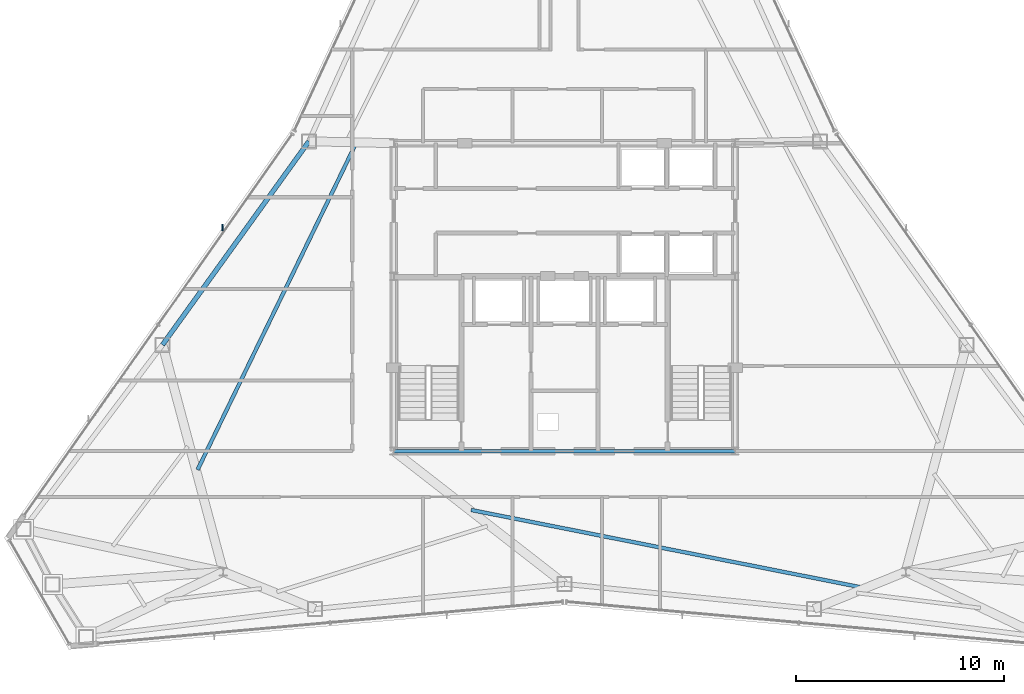
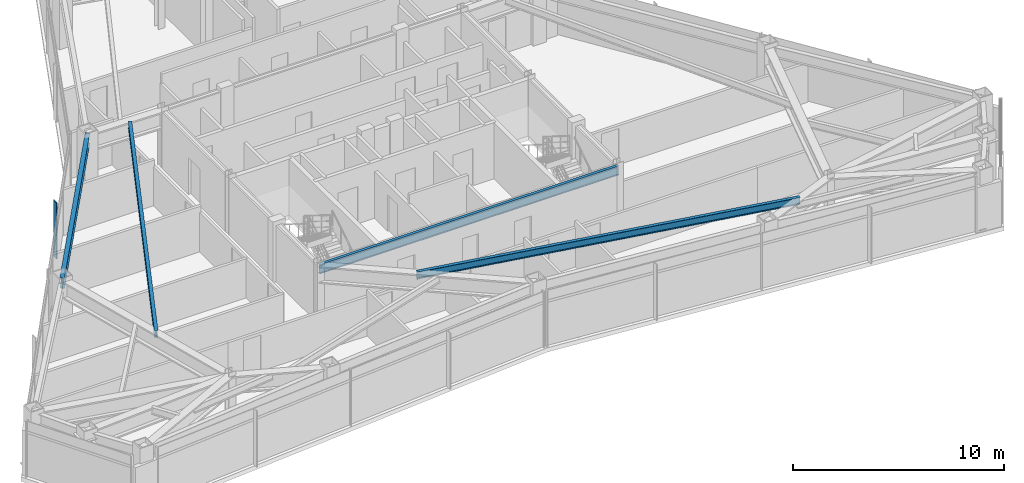
# One storey, part 4 of 12: 4 beams, 1 member, 1 element without a shape of its own.
"""IFC4 building model written with IfcOpenShell, lengths in metres."""

from ifc_helpers import new_model, si_unit, direction, frame, origin, origin_2d, place, context, subcontext, project, spatial, rectangle, i_section, extrude, source, transform, mapped, material, layer, layer_set, material_profile, profile_set, type_object, type_shapes, element, aggregate, save


model = new_model("IFC4")

# Units and contexts
model_context = context("Model", 3, precision=1e-05, world=origin(), true_north=direction((0.0, 1.0)))
body_context = subcontext(model_context, "Body", "Model", "MODEL_VIEW")
ifc_project = project(units=[si_unit("LENGTHUNIT", "METRE"), si_unit("AREAUNIT", "SQUARE_METRE"), si_unit("VOLUMEUNIT", "CUBIC_METRE"), si_unit("PLANEANGLEUNIT", "RADIAN"), si_unit("MASSUNIT", "GRAM", prefix="KILO")], contexts=[model_context])

# Site, building, storey
site_placement = place(None, origin())
site = spatial("IfcSite", under=ifc_project, at=site_placement, CompositionType="ELEMENT")
building_placement = place(site_placement, origin())
building = spatial("IfcBuilding", under=site, at=building_placement, Name="Varakhsha Concourse Tower", CompositionType="ELEMENT")
storey_placement = place(building_placement, frame((0.0, 0.0, 239.89990234375)))
storey = spatial("IfcBuildingStorey", under=building, at=storey_placement, Name="L68", CompositionType="ELEMENT", Elevation=239.89990234375)

# Beams
ifc_material_1 = material(Name="Structural Steel ASTM A992 Grade 50", Category="steel")
ifc_material_profile_1 = material_profile(ifc_material_1, i_section(OverallWidth=0.177978515625, OverallDepth=0.406982421875, WebThickness=0.008056640625, FlangeThickness=0.012939453125, at=origin_2d()), Name="W16X40")
ifc_profile_set_1 = profile_set([ifc_material_profile_1], Name="Structural Steel ASTM A992 Grade 50")
beam_type_1 = type_object("IfcBeamType", Name="BM-JST-W16X40", PredefinedType="JOIST", material=ifc_profile_set_1)
beam_1_placement = place(storey_placement, frame((29.955810546875, 31.14111328125, 3.046630859375), z_axis=(-0.436702372914, -0.899606045717, 0.0), x_axis=(0.899606045717, -0.436702372914, 0.0)))
element("IfcBeam", 1, at=beam_1_placement, inside=storey, type_object=beam_type_1, Name="BM-TJST-L68-05", PredefinedType="JOIST", context=body_context, shape_type="SweptSolid", body=[
    extrude(i_section(OverallWidth=0.177978515625, OverallDepth=0.406982421875, WebThickness=0.008056640625, FlangeThickness=0.012939453125, at=origin_2d()), origin(), (0.0, 0.0, 1.0), 17.38720703125),
])
beam_2_placement = place(storey_placement, frame((35.515869140625, 13.5703125, 3.046630859375), z_axis=(0.980897722828, -0.194524181919, 0.0), x_axis=(0.194524181919, 0.980897722828, 0.0)))
element("IfcBeam", 2, at=beam_2_placement, inside=storey, type_object=beam_type_1, Name="BM-TJST-L68-11", PredefinedType="JOIST", context=body_context, shape_type="SweptSolid", body=[
    extrude(i_section(OverallWidth=0.177978515625, OverallDepth=0.406982421875, WebThickness=0.008056640625, FlangeThickness=0.012939453125, at=origin_2d()), origin(), (0.0, 0.0, 1.0), 19.202392578125),
])
ifc_material_profile_2 = material_profile(ifc_material_1, i_section(OverallWidth=0.1669921875, OverallDepth=0.534912109375, WebThickness=0.010009765625, FlangeThickness=0.01708984375, at=origin_2d()), Name="W21X57")
ifc_profile_set_2 = profile_set([ifc_material_profile_2], Name="Structural Steel ASTM A992 Grade 50")
beam_type_2 = type_object("IfcBeamType", Name="BM-RAD-W21X57", PredefinedType="BEAM", material=ifc_profile_set_2)
beam_3_placement = place(storey_placement, frame((31.800048828125, 16.39990234375, 2.982666015625), z_axis=(1.0, 0.0, 0.0), x_axis=(0.0, 1.0, 0.0)))
element("IfcBeam", 3, at=beam_3_placement, inside=storey, type_object=beam_type_2, Name="BM-TCORE-L68-CS", PredefinedType="BEAM", context=body_context, shape_type="SweptSolid", body=[
    extrude(i_section(OverallWidth=0.1669921875, OverallDepth=0.534912109375, WebThickness=0.010009765625, FlangeThickness=0.01708984375, at=origin_2d()), origin(), (0.0, 0.0, 1.0), 16.39990234375),
])
ifc_material_profile_3 = material_profile(ifc_material_1, i_section(OverallWidth=0.22900390625, OverallDepth=0.612060546875, WebThickness=0.011962890625, FlangeThickness=0.02001953125, at=origin_2d()), Name="W24X84")
ifc_profile_set_3 = profile_set([ifc_material_profile_3], Name="Structural Steel ASTM A992 Grade 50")
beam_type_3 = type_object("IfcBeamType", Name="BM-SPAN-W24X84", PredefinedType="SPANDREL", material=ifc_profile_set_3)
beam_4_placement = place(storey_placement, frame((27.7177734375, 31.291259765625, 2.944091796875), z_axis=(-0.584099757456, -0.811681879396, 0.0), x_axis=(0.811681879396, -0.584099757456, 0.0)))
element("IfcBeam", 4, at=beam_4_placement, inside=storey, type_object=beam_type_3, Name="BM-SPAN-L68-05", PredefinedType="SPANDREL", context=body_context, shape_type="SweptSolid", body=[
    extrude(i_section(OverallWidth=0.22900390625, OverallDepth=0.612060546875, WebThickness=0.011962890625, FlangeThickness=0.02001953125, at=origin_2d()), origin(), (0.0, 0.0, 1.0), 12.05029296875),
])

# Curtain wall, member
ifc_material_2 = material(Name="Anodised Bronze Architectural Aluminium AA 6063-T6", Category="aluminium")
ifc_layer = layer(ifc_material_2, 0.199951171875, Name="CW-SYS-05")
ifc_layer_set = layer_set([ifc_layer], Name="Anodised Bronze Architectural Aluminium AA 6063-T6")
curtain_wall_type = type_object("IfcCurtainWallType", Name="CW-SYS-05", PredefinedType="NOTDEFINED", material=ifc_layer_set)
curtain_wall_placement = place(storey_placement, origin())
curtain_wall = element("IfcCurtainWall", 5, at=curtain_wall_placement, inside=storey, type_object=curtain_wall_type, Name="L68 Crystal Curtain Wall F3", PredefinedType="NOTDEFINED")
ifc_material_profile_4 = material_profile(ifc_material_2, rectangle(XDim=0.054931640625, YDim=0.300048828125, at=origin_2d()), Name="FIN-BRZ-300")
ifc_profile_set_4 = profile_set([ifc_material_profile_4], Name="Anodised Bronze Architectural Aluminium AA 6063-T6")
member_type = type_object("IfcMemberType", Name="FIN-BRZ-300", PredefinedType="USERDEFINED", material=ifc_profile_set_4)
shared_shape = source(origin(), body_context, "Body", "SweptSolid", [
    extrude(rectangle(XDim=0.054931640625, YDim=0.300048828125, at=origin_2d()), origin(), (0.0, 0.0, 1.0), 3.25),
])
type_shapes(member_type, [shared_shape])
member_placement = place(storey_placement, frame((23.566162109375, 27.15087890625, 0.0), z_axis=(0.0, 0.0, 1.0), x_axis=(1.0, 0.0, 0.0)))
member = element("IfcMember", 6, at=member_placement, type_object=member_type, Name="L68 Anodised Bronze Solar Fin F3-2", ObjectType="SOLAR FIN", PredefinedType="USERDEFINED", context=body_context, shape_type="MappedRepresentation", body=[
    mapped(shared_shape, transform((0.0, 0.0, 0.0), scale=1.0)),
])
aggregate(curtain_wall, [member])

save(model, "model.ifc")
